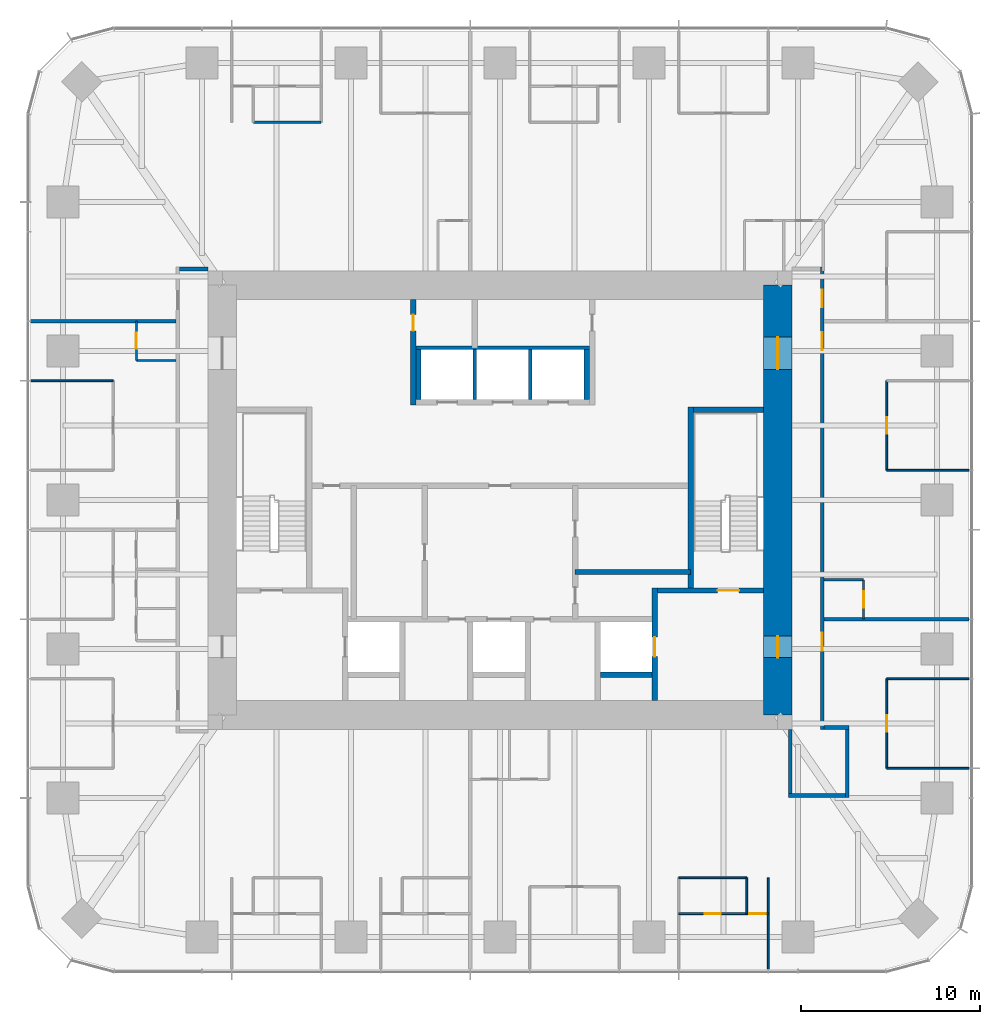
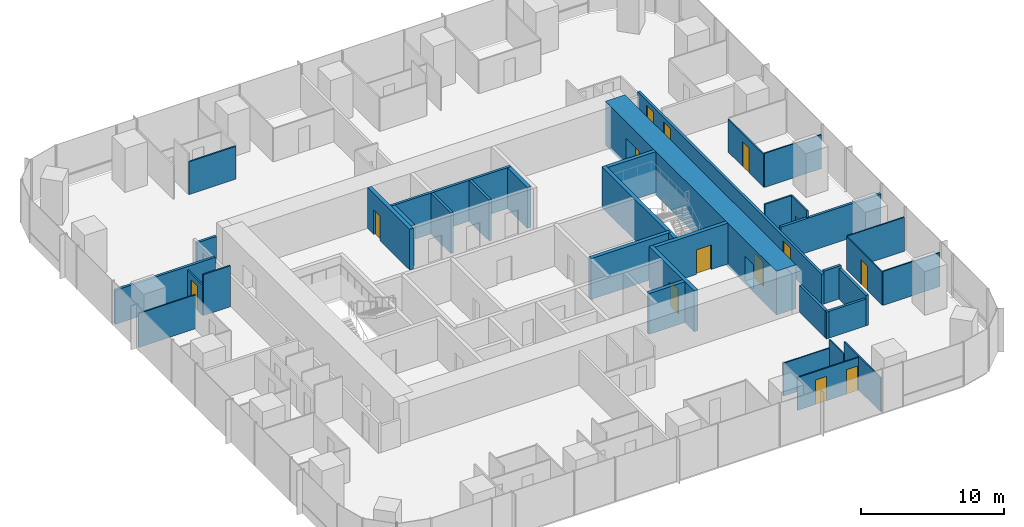
# One storey, part 10 of 12: 36 walls, 14 doors, 14 openings.
"""IFC4 building model written with IfcOpenShell, lengths in metres."""

from ifc_helpers import new_model, si_unit, direction, frame, frame_2d, origin, place, context, subcontext, project, spatial, rectangle, extrude, material, layer, layer_set, type_object, element, fill, save


model = new_model("IFC4")

# Units and contexts
model_context = context("Model", 3, precision=1e-05, world=origin(), true_north=direction((0.0, 1.0)))
body_context = subcontext(model_context, "Body", "Model", "MODEL_VIEW")
ifc_project = project(units=[si_unit("LENGTHUNIT", "METRE"), si_unit("AREAUNIT", "SQUARE_METRE"), si_unit("VOLUMEUNIT", "CUBIC_METRE"), si_unit("PLANEANGLEUNIT", "RADIAN"), si_unit("MASSUNIT", "GRAM", prefix="KILO")], contexts=[model_context])

# Site, building, storey
site_placement = place(None, origin())
site = spatial("IfcSite", under=ifc_project, at=site_placement, CompositionType="ELEMENT")
building_placement = place(site_placement, origin())
building = spatial("IfcBuilding", under=site, at=building_placement, Name="Khuree Lantern Residences", CompositionType="ELEMENT")
storey_placement = place(building_placement, frame((0.0, 0.0, 222.0)))
storey = spatial("IfcBuildingStorey", under=building, at=storey_placement, Name="L55", CompositionType="ELEMENT", Elevation=222.0)

# Wall, opening, door
ifc_material_1 = material(Name="Moisture-resistant gypsum board on steel studs", Category="steel")
ifc_layer_1 = layer(ifc_material_1, 0.125)
ifc_layer_set_1 = layer_set([ifc_layer_1], Name="BATHROOM WALL BTW125")
wall_type_1 = type_object("IfcWallType", Name="BATHROOM WALL BTW125", PredefinedType="PARTITIONING", material=ifc_layer_set_1)
wall_1_placement = place(storey_placement, frame((20.300048828125, -6.656005859375, 0.0), z_axis=(0.0, 0.0, 1.0), x_axis=(0.0, 1.0, 0.0)))
wall_1 = element("IfcWall", 1, at=wall_1_placement, inside=storey, type_object=wall_type_1, Name="L55 BATHROOM WALL 01", PredefinedType="PARTITIONING", context=body_context, shape_type="SweptSolid", body=[
    extrude(rectangle(XDim=2.199951171875, YDim=0.125, at=frame_2d((1.10009765625, 0.0))), origin(), (0.0, 0.0, 1.0), 3.5),
])
opening_1_placement = place(wall_1_placement, frame((0.64990234375, 0.0, 0.0)))
opening_1 = element("IfcOpeningElement", 2, at=opening_1_placement, cuts=wall_1, Name="Opening 55-023", PredefinedType="OPENING", context=body_context, shape_type="SweptSolid", body=[
    extrude(rectangle(XDim=0.89990234375, YDim=2.10009765625, at=frame_2d((0.449951171875, 1.050048828125))), frame((0.0, 0.072509765625, 0.0), z_axis=(0.0, -1.0, 0.0), x_axis=(1.0, 0.0, 0.0)), (0.0, 0.0, 1.0), 0.14501953125),
])
ifc_material_2 = material(Name="Timber door leaf in hardwood frame", Category="wood")
door_type_1 = type_object("IfcDoorType", Name="BATHROOM DOOR 900X2100", OperationType="SINGLE_SWING_LEFT", PredefinedType="DOOR", material=ifc_material_2)
door_1_placement = place(opening_1_placement, origin())
door_1 = element("IfcDoor", 3, at=door_1_placement, inside=storey, type_object=door_type_1, Name="Bathroom door 55-023", OperationType="SINGLE_SWING_LEFT", OverallHeight=2.10009765625, OverallWidth=0.89990234375, PredefinedType="DOOR", context=body_context, shape_type="SweptSolid", body=[
    extrude(rectangle(XDim=0.89990234375, YDim=2.10009765625, at=frame_2d((0.449951171875, 1.050048828125))), frame((0.0, 0.02490234375, 0.0), z_axis=(0.0, -1.0, 0.0), x_axis=(1.0, 0.0, 0.0)), (0.0, 0.0, 1.0), 0.050048828125),
])
fill(opening_1, door_1)

# Walls
wall_2_placement = place(storey_placement, frame((18.10009765625, -4.4560546875, 0.0), z_axis=(0.0, 0.0, 1.0), x_axis=(1.0, 0.0, 0.0)))
element("IfcWall", 4, at=wall_2_placement, inside=storey, type_object=wall_type_1, Name="L55 BATHROOM WALL 01", PredefinedType="PARTITIONING", context=body_context, shape_type="SweptSolid", body=[
    extrude(rectangle(XDim=2.199951171875, YDim=0.125, at=frame_2d((1.10009765625, 0.0))), origin(), (0.0, 0.0, 1.0), 3.5),
])
wall_3_placement = place(storey_placement, frame((-9.98388671875, 21.094970703125, 0.0), z_axis=(0.0, 0.0, 1.0), x_axis=(-1.0, 0.0, 0.0)))
element("IfcWall", 5, at=wall_3_placement, inside=storey, type_object=wall_type_1, Name="L55 BATHROOM WALL 03", PredefinedType="PARTITIONING", context=body_context, shape_type="SweptSolid", body=[
    extrude(rectangle(XDim=3.7919921875, YDim=0.125, at=frame_2d((1.89599609375, 0.0))), origin(), (0.0, 0.0, 1.0), 2.81005859375),
])

# Wall, opening, door
wall_4_placement = place(storey_placement, frame((-20.300048828125, 9.98388671875, 0.0), z_axis=(0.0, 0.0, 1.0), x_axis=(0.0, -1.0, 0.0)))
wall_4 = element("IfcWall", 6, at=wall_4_placement, inside=storey, type_object=wall_type_1, Name="L55 BATHROOM WALL 04", PredefinedType="PARTITIONING", context=body_context, shape_type="SweptSolid", body=[
    extrude(rectangle(XDim=2.199951171875, YDim=0.125, at=frame_2d((1.10009765625, 0.0))), origin(), (0.0, 0.0, 1.0), 2.60009765625),
])
opening_2_placement = place(wall_4_placement, frame((0.64990234375, 0.0, 0.0)))
opening_2 = element("IfcOpeningElement", 7, at=opening_2_placement, cuts=wall_4, Name="Opening 55-038", PredefinedType="OPENING", context=body_context, shape_type="SweptSolid", body=[
    extrude(rectangle(XDim=0.89990234375, YDim=2.10009765625, at=frame_2d((0.449951171875, 1.050048828125))), frame((0.0, 0.072509765625, 0.0), z_axis=(0.0, -1.0, 0.0), x_axis=(1.0, 0.0, 0.0)), (0.0, 0.0, 1.0), 0.14501953125),
])
door_2_placement = place(opening_2_placement, origin())
door_2 = element("IfcDoor", 8, at=door_2_placement, inside=storey, type_object=door_type_1, Name="Bathroom door 55-038", OperationType="SINGLE_SWING_LEFT", OverallHeight=2.10009765625, OverallWidth=0.89990234375, PredefinedType="DOOR", context=body_context, shape_type="SweptSolid", body=[
    extrude(rectangle(XDim=0.89990234375, YDim=2.10009765625, at=frame_2d((0.449951171875, 1.050048828125))), frame((0.0, 0.02490234375, 0.0), z_axis=(0.0, -1.0, 0.0), x_axis=(1.0, 0.0, 0.0)), (0.0, 0.0, 1.0), 0.050048828125),
])
fill(opening_2, door_2)

# Wall
wall_5_placement = place(storey_placement, frame((-18.10009765625, 7.783935546875, 0.0), z_axis=(0.0, 0.0, 1.0), x_axis=(-1.0, 0.0, 0.0)))
element("IfcWall", 9, at=wall_5_placement, inside=storey, type_object=wall_type_1, Name="L55 BATHROOM WALL 04", PredefinedType="PARTITIONING", context=body_context, shape_type="SweptSolid", body=[
    extrude(rectangle(XDim=2.199951171875, YDim=0.125, at=frame_2d((1.10009765625, 0.0))), origin(), (0.0, 0.0, 1.0), 3.5),
])

# Wall, opening, door
ifc_material_3 = material(Name="Dense concrete blockwork", Category="masonry")
ifc_layer_2 = layer(ifc_material_3, 0.300048828125)
ifc_layer_set_2 = layer_set([ifc_layer_2], Name="CORE PARTITION WALL CPW300 EI 120")
wall_type_2 = type_object("IfcWallType", Name="CORE PARTITION WALL CPW300 EI 120", PredefinedType="PARTITIONING", material=ifc_layer_set_2)
wall_6_placement = place(storey_placement, frame((8.64990234375, -11.199951171875, 0.0), z_axis=(0.0, 0.0, 1.0), x_axis=(0.0, 1.0, 0.0)))
wall_6 = element("IfcWall", 10, at=wall_6_placement, inside=storey, type_object=wall_type_2, Name="L55 CORE WALL FL2E", PredefinedType="PARTITIONING", context=body_context, shape_type="SweptSolid", body=[
    extrude(rectangle(XDim=6.300048828125, YDim=0.300048828125, at=frame_2d((3.14990234375, 0.0))), origin(), (0.0, 0.0, 1.0), 3.5),
])
opening_3_placement = place(wall_6_placement, frame((2.449951171875, 0.0, 0.0)))
opening_3 = element("IfcOpeningElement", 11, at=opening_3_placement, cuts=wall_6, Name="Opening 55-008", PredefinedType="OPENING", context=body_context, shape_type="SweptSolid", body=[
    extrude(rectangle(XDim=1.10009765625, YDim=2.10009765625, at=frame_2d((0.550048828125, 1.050048828125))), frame((0.0, 0.16015625, 0.0), z_axis=(0.0, -1.0, 0.0), x_axis=(1.0, 0.0, 0.0)), (0.0, 0.0, 1.0), 0.320068359375),
])
ifc_material_4 = material(Name="Stainless steel lift landing door", Category="steel")
door_type_2 = type_object("IfcDoorType", Name="LIFT LANDING DOOR 1100X2100 E 120", OperationType="DOUBLE_DOOR_SLIDING", PredefinedType="DOOR", material=ifc_material_4)
door_3_placement = place(opening_3_placement, origin())
door_3 = element("IfcDoor", 12, at=door_3_placement, inside=storey, type_object=door_type_2, Name="Landing door FL2 55-008", OperationType="DOUBLE_DOOR_SLIDING", OverallHeight=2.10009765625, OverallWidth=1.10009765625, PredefinedType="DOOR", context=body_context, shape_type="SweptSolid", body=[
    extrude(rectangle(XDim=1.10009765625, YDim=2.10009765625, at=frame_2d((0.550048828125, 1.050048828125))), frame((0.0, 0.02490234375, 0.0), z_axis=(0.0, -1.0, 0.0), x_axis=(1.0, 0.0, 0.0)), (0.0, 0.0, 1.0), 0.050048828125),
])
fill(opening_3, door_3)

# Walls
wall_7_placement = place(storey_placement, frame((5.60009765625, -9.75, 0.0), z_axis=(0.0, 0.0, 1.0), x_axis=(1.0, 0.0, 0.0)))
element("IfcWall", 13, at=wall_7_placement, inside=storey, type_object=wall_type_2, Name="L55 CORE WALL FL2S", PredefinedType="PARTITIONING", context=body_context, shape_type="SweptSolid", body=[
    extrude(rectangle(XDim=2.89990234375, YDim=0.300048828125, at=frame_2d((1.449951171875, 0.0))), origin(), (0.0, 0.0, 1.0), 3.5),
])
for number, where, z_axis, x_axis, name in (
    (14, (-4.550048828125, 5.60009765625, 0.0), (0.0, 0.0, 1.0), (0.0, 1.0, 0.0), "L55 CORE WALL PHW"),
    (15, (4.85009765625, 5.60009765625, 0.0), (0.0, 0.0, 1.0), (0.0, 1.0, 0.0), "L55 CORE WALL PHE"),
):
    element("IfcWall", number, at=place(storey_placement, frame(where, z_axis=z_axis, x_axis=x_axis)), inside=storey, type_object=wall_type_2, Name=name, PredefinedType="PARTITIONING", context=body_context, shape_type="SweptSolid", body=[
        extrude(rectangle(XDim=2.7998046875, YDim=0.300048828125, at=frame_2d((1.39990234375, 0.0))), origin(), (0.0, 0.0, 1.0), 3.5),
    ])
wall_8_placement = place(storey_placement, frame((10.64990234375, -4.01806640625, 0.0), z_axis=(0.0, 0.0, 1.0), x_axis=(-1.0, 0.0, 0.0)))
element("IfcWall", 16, at=wall_8_placement, inside=storey, type_object=wall_type_2, Name="L55 CORE WALL EX", PredefinedType="PARTITIONING", context=body_context, shape_type="SweptSolid", body=[
    extrude(rectangle(XDim=6.449951171875, YDim=0.300048828125, at=frame_2d((3.22509765625, 0.0))), origin(), (0.0, 0.0, 1.0), 3.5),
])

# Wall, opening, door
wall_9_placement = place(storey_placement, frame((-4.85009765625, 5.300048828125, 0.0), z_axis=(0.0, 0.0, 1.0), x_axis=(0.0, 1.0, 0.0)))
wall_9 = element("IfcWall", 17, at=wall_9_placement, inside=storey, type_object=wall_type_2, Name="L55 CORE WALL NW", PredefinedType="PARTITIONING", context=body_context, shape_type="SweptSolid", body=[
    extrude(rectangle(XDim=5.89990234375, YDim=0.300048828125, at=frame_2d((2.949951171875, 0.0))), origin(), (0.0, 0.0, 1.0), 3.5),
])
opening_4_placement = place(wall_9_placement, frame((4.14990234375, 0.0, 0.0)))
opening_4 = element("IfcOpeningElement", 18, at=opening_4_placement, cuts=wall_9, Name="Opening 55-020", PredefinedType="OPENING", context=body_context, shape_type="SweptSolid", body=[
    extrude(rectangle(XDim=0.89990234375, YDim=2.10009765625, at=frame_2d((0.449951171875, 1.050048828125))), frame((0.0, 0.16015625, 0.0), z_axis=(0.0, -1.0, 0.0), x_axis=(1.0, 0.0, 0.0)), (0.0, 0.0, 1.0), 0.320068359375),
])
door_type_3 = type_object("IfcDoorType", Name="DOOR 900X2100 RIGHT HAND", OperationType="SINGLE_SWING_RIGHT", PredefinedType="DOOR", material=ifc_material_2)
door_4_placement = place(opening_4_placement, origin())
door_4 = element("IfcDoor", 19, at=door_4_placement, inside=storey, type_object=door_type_3, Name="Housekeeping store door 55-020", OperationType="SINGLE_SWING_RIGHT", OverallHeight=2.10009765625, OverallWidth=0.89990234375, PredefinedType="DOOR", context=body_context, shape_type="SweptSolid", body=[
    extrude(rectangle(XDim=0.89990234375, YDim=2.10009765625, at=frame_2d((0.449951171875, 1.050048828125))), frame((0.0, 0.02490234375, 0.0), z_axis=(0.0, -1.0, 0.0), x_axis=(1.0, 0.0, 0.0)), (0.0, 0.0, 1.0), 0.050048828125),
])
fill(opening_4, door_4)

# Walls
ifc_material_5 = material(Name="Gypsum board on steel studs", Category="steel")
ifc_layer_3 = layer(ifc_material_5, 0.199951171875)
ifc_layer_set_3 = layer_set([ifc_layer_3], Name="CORRIDOR WALL CRW200 EI 60")
wall_type_3 = type_object("IfcWallType", Name="CORRIDOR WALL CRW200 EI 60", PredefinedType="PARTITIONING", material=ifc_layer_set_3)
wall_10_placement = place(storey_placement, frame((18.10009765625, -12.699951171875, 0.0), z_axis=(0.0, 0.0, 1.0), x_axis=(1.0, 0.0, 0.0)))
element("IfcWall", 20, at=wall_10_placement, inside=storey, type_object=wall_type_3, Name="L55 RESIDENTS LOUNGE WALL", PredefinedType="PARTITIONING", context=body_context, shape_type="SweptSolid", body=[
    extrude(rectangle(XDim=1.39990234375, YDim=0.199951171875, at=frame_2d((0.699951171875, 0.0))), origin(), (0.0, 0.0, 1.0), 2.81005859375),
])
wall_11_placement = place(storey_placement, frame((19.39990234375, -12.60009765625, 0.0), z_axis=(0.0, 0.0, 1.0), x_axis=(0.0, -1.0, 0.0)))
element("IfcWall", 21, at=wall_11_placement, inside=storey, type_object=wall_type_3, Name="L55 RESIDENTS LOUNGE WALL", PredefinedType="PARTITIONING", context=body_context, shape_type="SweptSolid", body=[
    extrude(rectangle(XDim=4.0, YDim=0.199951171875, at=frame_2d((2.0, 0.0))), origin(), (0.0, 0.0, 1.0), 2.60009765625),
])
wall_12_placement = place(storey_placement, frame((19.300048828125, -16.5, 0.0), z_axis=(0.0, 0.0, 1.0), x_axis=(-1.0, 0.0, 0.0)))
element("IfcWall", 22, at=wall_12_placement, inside=storey, type_object=wall_type_3, Name="L55 RESIDENTS LOUNGE WALL", PredefinedType="PARTITIONING", context=body_context, shape_type="SweptSolid", body=[
    extrude(rectangle(XDim=3.199951171875, YDim=0.199951171875, at=frame_2d((1.60009765625, 0.0))), origin(), (0.0, 0.0, 1.0), 2.300048828125),
])
wall_13_placement = place(storey_placement, frame((16.199951171875, -16.60009765625, 0.0), z_axis=(0.0, 0.0, 1.0), x_axis=(0.0, 1.0, 0.0)))
element("IfcWall", 23, at=wall_13_placement, inside=storey, type_object=wall_type_3, Name="L55 RESIDENTS LOUNGE WALL", PredefinedType="PARTITIONING", context=body_context, shape_type="SweptSolid", body=[
    extrude(rectangle(XDim=3.800048828125, YDim=0.199951171875, at=frame_2d((1.89990234375, 0.0))), origin(), (0.0, 0.0, 1.0), 2.300048828125),
])
wall_14_placement = place(storey_placement, frame((-16.300048828125, 12.89990234375, 0.0), z_axis=(0.0, 0.0, 1.0), x_axis=(-1.0, 0.0, 0.0)))
element("IfcWall", 24, at=wall_14_placement, inside=storey, type_object=wall_type_3, Name="L55 WEST CORRIDOR NORTH END WALL", PredefinedType="PARTITIONING", context=body_context, shape_type="SweptSolid", body=[
    extrude(rectangle(XDim=1.599853515625, YDim=0.199951171875, at=frame_2d((0.7998046875, 0.0))), origin(), (0.0, 0.0, 1.0), 2.300048828125),
])

# Wall, openings, doors
wall_15_placement = place(storey_placement, frame((18.0, -12.800048828125, 0.0), z_axis=(0.0, 0.0, 1.0), x_axis=(0.0, 1.0, 0.0)))
wall_15 = element("IfcWall", 25, at=wall_15_placement, inside=storey, type_object=wall_type_3, Name="L55 CORRIDOR WALL EAST 1", PredefinedType="PARTITIONING", context=body_context, shape_type="SweptSolid", body=[
    extrude(rectangle(XDim=25.800048828125, YDim=0.199951171875, at=frame_2d((12.89990234375, 0.0))), origin(), (0.0, 0.0, 1.0), 2.60009765625),
])
opening_5_placement = place(wall_15_placement, frame((21.1640625, 0.0, 0.0)))
opening_5 = element("IfcOpeningElement", 26, at=opening_5_placement, cuts=wall_15, Name="Opening 55-024", PredefinedType="OPENING", context=body_context, shape_type="SweptSolid", body=[
    extrude(rectangle(XDim=1.0, YDim=2.199951171875, at=frame_2d((0.5, 1.10009765625))), frame((0.0, 0.10986328125, 0.0), z_axis=(0.0, -1.0, 0.0), x_axis=(1.0, 0.0, 0.0)), (0.0, 0.0, 1.0), 0.219970703125),
])
opening_6_placement = place(wall_15_placement, frame((23.553955078125, 0.0, 0.0)))
opening_6 = element("IfcOpeningElement", 27, at=opening_6_placement, cuts=wall_15, Name="Opening 55-031", PredefinedType="OPENING", context=body_context, shape_type="SweptSolid", body=[
    extrude(rectangle(XDim=1.0, YDim=2.199951171875, at=frame_2d((0.5, 1.10009765625))), frame((0.0, 0.10986328125, 0.0), z_axis=(0.0, -1.0, 0.0), x_axis=(1.0, 0.0, 0.0)), (0.0, 0.0, 1.0), 0.219970703125),
])
opening_7_placement = place(wall_15_placement, frame((4.39990234375, 0.0, 0.0)))
opening_7 = element("IfcOpeningElement", 28, at=opening_7_placement, cuts=wall_15, Name="Opening 55-056", PredefinedType="OPENING", context=body_context, shape_type="SweptSolid", body=[
    extrude(rectangle(XDim=1.0, YDim=2.199951171875, at=frame_2d((0.5, 1.10009765625))), frame((0.0, 0.10986328125, 0.0), z_axis=(0.0, -1.0, 0.0), x_axis=(1.0, 0.0, 0.0)), (0.0, 0.0, 1.0), 0.219970703125),
])
door_type_4 = type_object("IfcDoorType", Name="APARTMENT ENTRANCE DOOR 1000X2200 EI 30S", OperationType="SINGLE_SWING_LEFT", PredefinedType="DOOR", material=ifc_material_2)
door_5_placement = place(opening_7_placement, origin())
door_5 = element("IfcDoor", 29, at=door_5_placement, inside=storey, type_object=door_type_4, Name="Apartment 06 entrance door 55-056", OperationType="SINGLE_SWING_LEFT", OverallHeight=2.199951171875, OverallWidth=1.0, PredefinedType="DOOR", context=body_context, shape_type="SweptSolid", body=[
    extrude(rectangle(XDim=1.0, YDim=2.199951171875, at=frame_2d((0.5, 1.10009765625))), frame((0.0, 0.02490234375, 0.0), z_axis=(0.0, -1.0, 0.0), x_axis=(1.0, 0.0, 0.0)), (0.0, 0.0, 1.0), 0.050048828125),
])
fill(opening_7, door_5)
door_type_5 = type_object("IfcDoorType", Name="APARTMENT ENTRANCE DOOR 1000X2200 EI 30S RIGHT HAND", OperationType="SINGLE_SWING_RIGHT", PredefinedType="DOOR", material=ifc_material_2)
door_6_placement = place(opening_5_placement, origin())
door_6 = element("IfcDoor", 30, at=door_6_placement, inside=storey, type_object=door_type_5, Name="Apartment 01 entrance door 55-024", OperationType="SINGLE_SWING_RIGHT", OverallHeight=2.199951171875, OverallWidth=1.0, PredefinedType="DOOR", context=body_context, shape_type="SweptSolid", body=[
    extrude(rectangle(XDim=1.0, YDim=2.199951171875, at=frame_2d((0.5, 1.10009765625))), frame((0.0, 0.02490234375, 0.0), z_axis=(0.0, -1.0, 0.0), x_axis=(1.0, 0.0, 0.0)), (0.0, 0.0, 1.0), 0.050048828125),
])
fill(opening_5, door_6)
door_7_placement = place(opening_6_placement, origin())
door_7 = element("IfcDoor", 31, at=door_7_placement, inside=storey, type_object=door_type_5, Name="Apartment 02 entrance door 55-031", OperationType="SINGLE_SWING_RIGHT", OverallHeight=2.199951171875, OverallWidth=1.0, PredefinedType="DOOR", context=body_context, shape_type="SweptSolid", body=[
    extrude(rectangle(XDim=1.0, YDim=2.199951171875, at=frame_2d((0.5, 1.10009765625))), frame((0.0, 0.02490234375, 0.0), z_axis=(0.0, -1.0, 0.0), x_axis=(1.0, 0.0, 0.0)), (0.0, 0.0, 1.0), 0.050048828125),
])
fill(opening_6, door_7)

ifc_material_6 = material(Name="Concrete C50/60", Category="concrete")
ifc_layer_4 = layer(ifc_material_6, 1.60009765625)
ifc_layer_set_4 = layer_set([ifc_layer_4], Name="CW1600-C50 CORE WALL C50 1600")
wall_type_4 = type_object("IfcWallType", Name="CW1600-C50 CORE WALL C50 1600", PredefinedType="SHEAR", material=ifc_layer_set_4)
wall_16_placement = place(storey_placement, frame((15.5, -12.0, -0.25), z_axis=(0.0, 0.0, 1.0), x_axis=(0.0, 1.0, 0.0)))
wall_16 = element("IfcWall", 32, at=wall_16_placement, inside=storey, type_object=wall_type_4, Name="Core wall E", PredefinedType="SHEAR", context=body_context, shape_type="SweptSolid", body=[
    extrude(rectangle(XDim=24.0, YDim=1.60009765625, at=frame_2d((12.0, 0.0))), origin(), (0.0, 0.0, 1.0), 3.75),
])
opening_8_placement = place(wall_16_placement, frame((3.199951171875, 0.0, 0.25)))
opening_8 = element("IfcOpeningElement", 33, at=opening_8_placement, cuts=wall_16, Name="Opening 55-005", PredefinedType="OPENING", context=body_context, shape_type="SweptSolid", body=[
    extrude(rectangle(XDim=1.199951171875, YDim=2.10009765625, at=frame_2d((0.60009765625, 1.050048828125))), frame((0.0, 0.81005859375, 0.0), z_axis=(0.0, -1.0, 0.0), x_axis=(1.0, 0.0, 0.0)), (0.0, 0.0, 1.0), 1.6201171875),
])
opening_9_placement = place(wall_16_placement, frame((19.300048828125, 0.0, 0.25)))
opening_9 = element("IfcOpeningElement", 34, at=opening_9_placement, cuts=wall_16, Name="Opening 55-006", PredefinedType="OPENING", context=body_context, shape_type="SweptSolid", body=[
    extrude(rectangle(XDim=1.800048828125, YDim=2.10009765625, at=frame_2d((0.89990234375, 1.050048828125))), frame((0.0, 0.81005859375, 0.0), z_axis=(0.0, -1.0, 0.0), x_axis=(1.0, 0.0, 0.0)), (0.0, 0.0, 1.0), 1.6201171875),
])
ifc_material_7 = material(Name="Steel door leaf in steel frame", Category="steel")
door_type_6 = type_object("IfcDoorType", Name="LOBBY DOOR 1200X2100 EI 120", OperationType="SINGLE_SWING_LEFT", PredefinedType="DOOR", material=ifc_material_7)
door_8_placement = place(opening_8_placement, origin())
door_8 = element("IfcDoor", 35, at=door_8_placement, inside=storey, type_object=door_type_6, Name="Firefighting lobby door 55-005", OperationType="SINGLE_SWING_LEFT", OverallHeight=2.10009765625, OverallWidth=1.199951171875, PredefinedType="DOOR", context=body_context, shape_type="SweptSolid", body=[
    extrude(rectangle(XDim=1.199951171875, YDim=2.10009765625, at=frame_2d((0.60009765625, 1.050048828125))), frame((0.0, 0.02490234375, 0.0), z_axis=(0.0, -1.0, 0.0), x_axis=(1.0, 0.0, 0.0)), (0.0, 0.0, 1.0), 0.050048828125),
])
fill(opening_8, door_8)
door_type_7 = type_object("IfcDoorType", Name="LOBBY DOUBLE DOOR 1800X2100 EI 60", OperationType="DOUBLE_DOOR_SINGLE_SWING", PredefinedType="DOOR", material=ifc_material_7)
door_9_placement = place(opening_9_placement, origin())
door_9 = element("IfcDoor", 36, at=door_9_placement, inside=storey, type_object=door_type_7, Name="Lift lobby door 55-006", OperationType="DOUBLE_DOOR_SINGLE_SWING", OverallHeight=2.10009765625, OverallWidth=1.800048828125, PredefinedType="DOOR", context=body_context, shape_type="SweptSolid", body=[
    extrude(rectangle(XDim=1.800048828125, YDim=2.10009765625, at=frame_2d((0.89990234375, 1.050048828125))), frame((0.0, 0.02490234375, 0.0), z_axis=(0.0, -1.0, 0.0), x_axis=(1.0, 0.0, 0.0)), (0.0, 0.0, 1.0), 0.050048828125),
])
fill(opening_9, door_9)

# Walls
ifc_layer_5 = layer(ifc_material_5, 0.199951171875)
ifc_layer_set_5 = layer_set([ifc_layer_5], Name="DEMISING WALL DMW200 EI 90")
wall_type_5 = type_object("IfcWallType", Name="DEMISING WALL DMW200 EI 90", PredefinedType="PARTITIONING", material=ifc_layer_set_5)
for number, where, z_axis, x_axis, name in (
    (37, (18.10009765625, -6.656005859375, 0.0), (0.0, 0.0, 1.0), (1.0, 0.0, 0.0), "L55 DEMISING WALL 01"),
    (38, (-18.10009765625, 9.98388671875, 0.0), (0.0, 0.0, 1.0), (-1.0, 0.0, 0.0), "L55 DEMISING WALL 04"),
):
    element("IfcWall", number, at=place(storey_placement, frame(where, z_axis=z_axis, x_axis=x_axis)), inside=storey, type_object=wall_type_5, Name=name, PredefinedType="PARTITIONING", context=body_context, shape_type="SweptSolid", body=[
        extrude(rectangle(XDim=8.099853515625, YDim=0.199951171875, at=frame_2d((4.0498046875, 0.0))), origin(), (0.0, 0.0, 1.0), 2.909912109375),
    ])
ifc_layer_6 = layer(ifc_material_5, 0.10009765625)
ifc_layer_set_6 = layer_set([ifc_layer_6], Name="PARTITION PT100")
wall_type_6 = type_object("IfcWallType", Name="PARTITION PT100", PredefinedType="PARTITIONING", material=ifc_layer_set_6)
for number, where, z_axis, x_axis, name in (
    (39, (21.60009765625, 1.6640625, 0.0), (0.0, 0.0, 1.0), (1.0, 0.0, 0.0), "L55 PARTITION 01"),
    (40, (-21.60009765625, 6.656005859375, 0.0), (0.0, 0.0, 1.0), (-1.0, 0.0, 0.0), "L55 PARTITION 04"),
):
    element("IfcWall", number, at=place(storey_placement, frame(where, z_axis=z_axis, x_axis=x_axis)), inside=storey, type_object=wall_type_6, Name=name, PredefinedType="PARTITIONING", context=body_context, shape_type="SweptSolid", body=[
        extrude(rectangle(XDim=4.599853515625, YDim=0.10009765625, at=frame_2d((2.2998046875, 0.0))), origin(), (0.0, 0.0, 1.0), 2.909912109375),
    ])
wall_17_placement = place(storey_placement, frame((14.97607421875, -21.094970703125, 0.0), z_axis=(0.0, 0.0, 1.0), x_axis=(0.0, -1.0, 0.0)))
element("IfcWall", 41, at=wall_17_placement, inside=storey, type_object=wall_type_6, Name="L55 PARTITION 06", PredefinedType="PARTITIONING", context=body_context, shape_type="SweptSolid", body=[
    extrude(rectangle(XDim=5.10498046875, YDim=0.10009765625, at=frame_2d((2.552490234375, 0.0))), origin(), (0.0, 0.0, 1.0), 2.909912109375),
])
for number, where, z_axis, x_axis, name in (
    (42, (21.60009765625, -14.97607421875, 0.0), (0.0, 0.0, 1.0), (1.0, 0.0, 0.0), "L55 PARTITION 06"),
    (43, (21.60009765625, -9.98388671875, 0.0), (0.0, 0.0, 1.0), (1.0, 0.0, 0.0), "L55 PARTITION 06"),
):
    element("IfcWall", number, at=place(storey_placement, frame(where, z_axis=z_axis, x_axis=x_axis)), inside=storey, type_object=wall_type_6, Name=name, PredefinedType="PARTITIONING", context=body_context, shape_type="SweptSolid", body=[
        extrude(rectangle(XDim=4.599853515625, YDim=0.10009765625, at=frame_2d((2.2998046875, 0.0))), origin(), (0.0, 0.0, 1.0), 2.909912109375),
    ])

# Wall, opening, door
wall_18_placement = place(storey_placement, frame((21.60009765625, 1.6640625, 0.0), z_axis=(0.0, 0.0, 1.0), x_axis=(0.0, 1.0, 0.0)))
wall_18 = element("IfcWall", 44, at=wall_18_placement, inside=storey, type_object=wall_type_6, Name="L55 PARTITION 01", PredefinedType="PARTITIONING", context=body_context, shape_type="SweptSolid", body=[
    extrude(rectangle(XDim=4.991943359375, YDim=0.10009765625, at=frame_2d((2.49609375, 0.0))), origin(), (0.0, 0.0, 1.0), 2.81005859375),
])
opening_10_placement = place(wall_18_placement, frame((2.0458984375, 0.0, 0.0)))
opening_10 = element("IfcOpeningElement", 45, at=opening_10_placement, cuts=wall_18, Name="Opening 55-022", PredefinedType="OPENING", context=body_context, shape_type="SweptSolid", body=[
    extrude(rectangle(XDim=0.89990234375, YDim=2.10009765625, at=frame_2d((0.449951171875, 1.050048828125))), frame((0.0, 0.06005859375, 0.0), z_axis=(0.0, -1.0, 0.0), x_axis=(1.0, 0.0, 0.0)), (0.0, 0.0, 1.0), 0.1201171875),
])
door_type_8 = type_object("IfcDoorType", Name="BEDROOM DOOR 900X2100", OperationType="SINGLE_SWING_LEFT", PredefinedType="DOOR", material=ifc_material_2)
door_10_placement = place(opening_10_placement, origin())
door_10 = element("IfcDoor", 46, at=door_10_placement, inside=storey, type_object=door_type_8, Name="Bedroom door 55-022", OperationType="SINGLE_SWING_LEFT", OverallHeight=2.10009765625, OverallWidth=0.89990234375, PredefinedType="DOOR", context=body_context, shape_type="SweptSolid", body=[
    extrude(rectangle(XDim=0.89990234375, YDim=2.10009765625, at=frame_2d((0.449951171875, 1.050048828125))), frame((0.0, 0.02490234375, 0.0), z_axis=(0.0, -1.0, 0.0), x_axis=(1.0, 0.0, 0.0)), (0.0, 0.0, 1.0), 0.050048828125),
])
fill(opening_10, door_10)

# Wall, openings, doors
wall_19_placement = place(storey_placement, frame((9.98388671875, -23.094970703125, 0.0), z_axis=(0.0, 0.0, 1.0), x_axis=(1.0, 0.0, 0.0)))
wall_19 = element("IfcWall", 47, at=wall_19_placement, inside=storey, type_object=wall_type_6, Name="L55 PARTITION 06", PredefinedType="PARTITIONING", context=body_context, shape_type="SweptSolid", body=[
    extrude(rectangle(XDim=4.9921875, YDim=0.10009765625, at=frame_2d((2.49609375, 0.0))), origin(), (0.0, 0.0, 1.0), 2.81005859375),
])
opening_11_placement = place(wall_19_placement, frame((3.94189453125, 0.0, 0.0)))
opening_11 = element("IfcOpeningElement", 48, at=opening_11_placement, cuts=wall_19, Name="Opening 55-051", PredefinedType="OPENING", context=body_context, shape_type="SweptSolid", body=[
    extrude(rectangle(XDim=0.89990234375, YDim=2.10009765625, at=frame_2d((0.449951171875, 1.050048828125))), frame((0.0, 0.06005859375, 0.0), z_axis=(0.0, -1.0, 0.0), x_axis=(1.0, 0.0, 0.0)), (0.0, 0.0, 1.0), 0.1201171875),
])
opening_12_placement = place(wall_19_placement, frame((1.446044921875, 0.0, 0.0)))
opening_12 = element("IfcOpeningElement", 49, at=opening_12_placement, cuts=wall_19, Name="Opening 55-052", PredefinedType="OPENING", context=body_context, shape_type="SweptSolid", body=[
    extrude(rectangle(XDim=0.89990234375, YDim=2.10009765625, at=frame_2d((0.449951171875, 1.050048828125))), frame((0.0, 0.06005859375, 0.0), z_axis=(0.0, -1.0, 0.0), x_axis=(1.0, 0.0, 0.0)), (0.0, 0.0, 1.0), 0.1201171875),
])
door_11_placement = place(opening_11_placement, origin())
door_11 = element("IfcDoor", 50, at=door_11_placement, inside=storey, type_object=door_type_8, Name="Bedroom door 55-051", OperationType="SINGLE_SWING_LEFT", OverallHeight=2.10009765625, OverallWidth=0.89990234375, PredefinedType="DOOR", context=body_context, shape_type="SweptSolid", body=[
    extrude(rectangle(XDim=0.89990234375, YDim=2.10009765625, at=frame_2d((0.449951171875, 1.050048828125))), frame((0.0, 0.02490234375, 0.0), z_axis=(0.0, -1.0, 0.0), x_axis=(1.0, 0.0, 0.0)), (0.0, 0.0, 1.0), 0.050048828125),
])
fill(opening_11, door_11)
door_type_9 = type_object("IfcDoorType", Name="DOOR 900X2100", OperationType="SINGLE_SWING_LEFT", PredefinedType="DOOR", material=ifc_material_2)
door_12_placement = place(opening_12_placement, origin())
door_12 = element("IfcDoor", 51, at=door_12_placement, inside=storey, type_object=door_type_9, Name="Wardrobe door 55-052", OperationType="SINGLE_SWING_LEFT", OverallHeight=2.10009765625, OverallWidth=0.89990234375, PredefinedType="DOOR", context=body_context, shape_type="SweptSolid", body=[
    extrude(rectangle(XDim=0.89990234375, YDim=2.10009765625, at=frame_2d((0.449951171875, 1.050048828125))), frame((0.0, 0.02490234375, 0.0), z_axis=(0.0, -1.0, 0.0), x_axis=(1.0, 0.0, 0.0)), (0.0, 0.0, 1.0), 0.050048828125),
])
fill(opening_12, door_12)

# Walls
wall_20_placement = place(storey_placement, frame((13.77587890625, -21.094970703125, 0.0), z_axis=(0.0, 0.0, 1.0), x_axis=(0.0, -1.0, 0.0)))
element("IfcWall", 52, at=wall_20_placement, inside=storey, type_object=wall_type_6, Name="L55 PARTITION 06", PredefinedType="PARTITIONING", context=body_context, shape_type="SweptSolid", body=[
    extrude(rectangle(XDim=2.0, YDim=0.10009765625, at=frame_2d((1.0, 0.0))), origin(), (0.0, 0.0, 1.0), 3.5),
])
wall_21_placement = place(storey_placement, frame((9.98388671875, -21.094970703125, 0.0), z_axis=(0.0, 0.0, 1.0), x_axis=(1.0, 0.0, 0.0)))
element("IfcWall", 53, at=wall_21_placement, inside=storey, type_object=wall_type_6, Name="L55 PARTITION 06", PredefinedType="PARTITIONING", context=body_context, shape_type="SweptSolid", body=[
    extrude(rectangle(XDim=3.7919921875, YDim=0.10009765625, at=frame_2d((1.89599609375, 0.0))), origin(), (0.0, 0.0, 1.0), 2.81005859375),
])

# Wall, opening, door
wall_22_placement = place(storey_placement, frame((21.60009765625, -14.97607421875, 0.0), z_axis=(0.0, 0.0, 1.0), x_axis=(0.0, 1.0, 0.0)))
wall_22 = element("IfcWall", 54, at=wall_22_placement, inside=storey, type_object=wall_type_6, Name="L55 PARTITION 06", PredefinedType="PARTITIONING", context=body_context, shape_type="SweptSolid", body=[
    extrude(rectangle(XDim=4.9921875, YDim=0.10009765625, at=frame_2d((2.49609375, 0.0))), origin(), (0.0, 0.0, 1.0), 2.81005859375),
])
opening_13_placement = place(wall_22_placement, frame((2.0458984375, 0.0, 0.0)))
opening_13 = element("IfcOpeningElement", 55, at=opening_13_placement, cuts=wall_22, Name="Opening 55-053", PredefinedType="OPENING", context=body_context, shape_type="SweptSolid", body=[
    extrude(rectangle(XDim=0.89990234375, YDim=2.10009765625, at=frame_2d((0.449951171875, 1.050048828125))), frame((0.0, 0.06005859375, 0.0), z_axis=(0.0, -1.0, 0.0), x_axis=(1.0, 0.0, 0.0)), (0.0, 0.0, 1.0), 0.1201171875),
])
door_13_placement = place(opening_13_placement, origin())
door_13 = element("IfcDoor", 56, at=door_13_placement, inside=storey, type_object=door_type_8, Name="Bedroom door 55-053", OperationType="SINGLE_SWING_LEFT", OverallHeight=2.10009765625, OverallWidth=0.89990234375, PredefinedType="DOOR", context=body_context, shape_type="SweptSolid", body=[
    extrude(rectangle(XDim=0.89990234375, YDim=2.10009765625, at=frame_2d((0.449951171875, 1.050048828125))), frame((0.0, 0.02490234375, 0.0), z_axis=(0.0, -1.0, 0.0), x_axis=(1.0, 0.0, 0.0)), (0.0, 0.0, 1.0), 0.050048828125),
])
fill(opening_13, door_13)

# Walls
ifc_layer_7 = layer(ifc_material_3, 0.199951171875)
ifc_layer_set_7 = layer_set([ifc_layer_7], Name="SHAFT WALL SHW200 EI 120")
wall_type_7 = type_object("IfcWallType", Name="SHAFT WALL SHW200 EI 120", PredefinedType="PARTITIONING", material=ifc_layer_set_7)
wall_23_placement = place(storey_placement, frame((-4.699951171875, 8.5, 0.0), z_axis=(0.0, 0.0, 1.0), x_axis=(1.0, 0.0, 0.0)))
element("IfcWall", 57, at=wall_23_placement, inside=storey, type_object=wall_type_7, Name="L55 CORE WALL PHN", PredefinedType="PARTITIONING", context=body_context, shape_type="SweptSolid", body=[
    extrude(rectangle(XDim=9.699951171875, YDim=0.199951171875, at=frame_2d((4.85009765625, 0.0))), origin(), (0.0, 0.0, 1.0), 3.5),
])
for number, where, z_axis, x_axis, name in (
    (58, (-1.39990234375, 5.60009765625, 0.0), (0.0, 0.0, 1.0), (0.0, 1.0, 0.0), "L55 CORE WALL PHD1"),
    (59, (1.699951171875, 5.60009765625, 0.0), (0.0, 0.0, 1.0), (0.0, 1.0, 0.0), "L55 CORE WALL PHD2"),
):
    element("IfcWall", number, at=place(storey_placement, frame(where, z_axis=z_axis, x_axis=x_axis)), inside=storey, type_object=wall_type_7, Name=name, PredefinedType="PARTITIONING", context=body_context, shape_type="SweptSolid", body=[
        extrude(rectangle(XDim=2.7998046875, YDim=0.199951171875, at=frame_2d((1.39990234375, 0.0))), origin(), (0.0, 0.0, 1.0), 3.5),
    ])
ifc_layer_8 = layer(ifc_material_6, 0.300048828125)
ifc_layer_set_8 = layer_set([ifc_layer_8], Name="STAIR WALL SRW300 C50/60 REI 240")
wall_type_8 = type_object("IfcWallType", Name="STAIR WALL SRW300 C50/60 REI 240", PredefinedType="SOLIDWALL", material=ifc_layer_set_8)
wall_24_placement = place(storey_placement, frame((10.64990234375, -4.89990234375, 0.0), z_axis=(0.0, 0.0, 1.0), x_axis=(0.0, 1.0, 0.0)))
element("IfcWall", 60, at=wall_24_placement, inside=storey, type_object=wall_type_8, Name="L55 STAIR WALL ST2E", PredefinedType="SOLIDWALL", context=body_context, shape_type="SweptSolid", body=[
    extrude(rectangle(XDim=10.099853515625, YDim=0.300048828125, at=frame_2d((5.0498046875, 0.0))), origin(), (0.0, 0.0, 1.0), 3.5),
])

# Wall, opening, door
wall_25_placement = place(storey_placement, frame((14.699951171875, -5.050048828125, 0.0), z_axis=(0.0, 0.0, 1.0), x_axis=(-1.0, 0.0, 0.0)))
wall_25 = element("IfcWall", 61, at=wall_25_placement, inside=storey, type_object=wall_type_8, Name="L55 STAIR WALL ST2S", PredefinedType="SOLIDWALL", context=body_context, shape_type="SweptSolid", body=[
    extrude(rectangle(XDim=5.89990234375, YDim=0.300048828125, at=frame_2d((2.949951171875, 0.0))), origin(), (0.0, 0.0, 1.0), 3.5),
])
opening_14_placement = place(wall_25_placement, frame((1.35009765625, 0.0, 0.0)))
opening_14 = element("IfcOpeningElement", 62, at=opening_14_placement, cuts=wall_25, Name="Opening 55-004", PredefinedType="OPENING", context=body_context, shape_type="SweptSolid", body=[
    extrude(rectangle(XDim=1.199951171875, YDim=2.10009765625, at=frame_2d((0.60009765625, 1.050048828125))), frame((0.0, 0.16015625, 0.0), z_axis=(0.0, -1.0, 0.0), x_axis=(1.0, 0.0, 0.0)), (0.0, 0.0, 1.0), 0.320068359375),
])
door_type_10 = type_object("IfcDoorType", Name="STAIR DOOR 1200X2100 EI 120", OperationType="SINGLE_SWING_LEFT", PredefinedType="DOOR", material=ifc_material_7)
door_14_placement = place(opening_14_placement, origin())
door_14 = element("IfcDoor", 63, at=door_14_placement, inside=storey, type_object=door_type_10, Name="Stair ST2 door 55-004", OperationType="SINGLE_SWING_LEFT", OverallHeight=2.10009765625, OverallWidth=1.199951171875, PredefinedType="DOOR", context=body_context, shape_type="SweptSolid", body=[
    extrude(rectangle(XDim=1.199951171875, YDim=2.10009765625, at=frame_2d((0.60009765625, 1.050048828125))), frame((0.0, 0.02490234375, 0.0), z_axis=(0.0, -1.0, 0.0), x_axis=(1.0, 0.0, 0.0)), (0.0, 0.0, 1.0), 0.050048828125),
])
fill(opening_14, door_14)

# Wall
wall_26_placement = place(storey_placement, frame((14.699951171875, 5.050048828125, 0.0), z_axis=(0.0, 0.0, 1.0), x_axis=(-1.0, 0.0, 0.0)))
element("IfcWall", 64, at=wall_26_placement, inside=storey, type_object=wall_type_8, Name="L55 STAIR WALL ST2N", PredefinedType="SOLIDWALL", context=body_context, shape_type="SweptSolid", body=[
    extrude(rectangle(XDim=3.89990234375, YDim=0.300048828125, at=frame_2d((1.949951171875, 0.0))), origin(), (0.0, 0.0, 1.0), 3.5),
])

save(model, "model.ifc")
